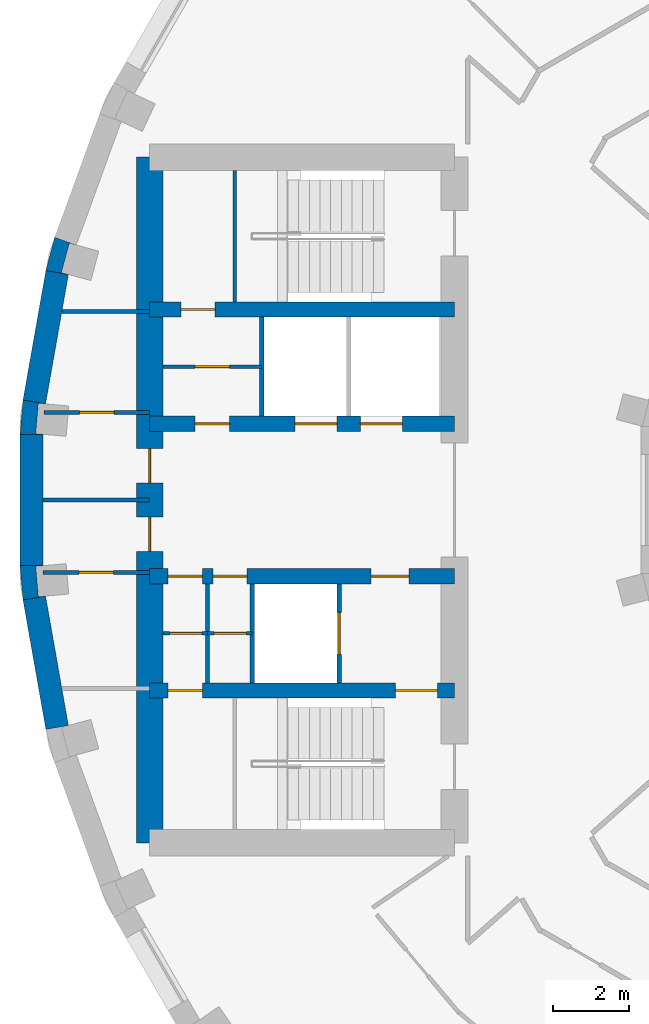
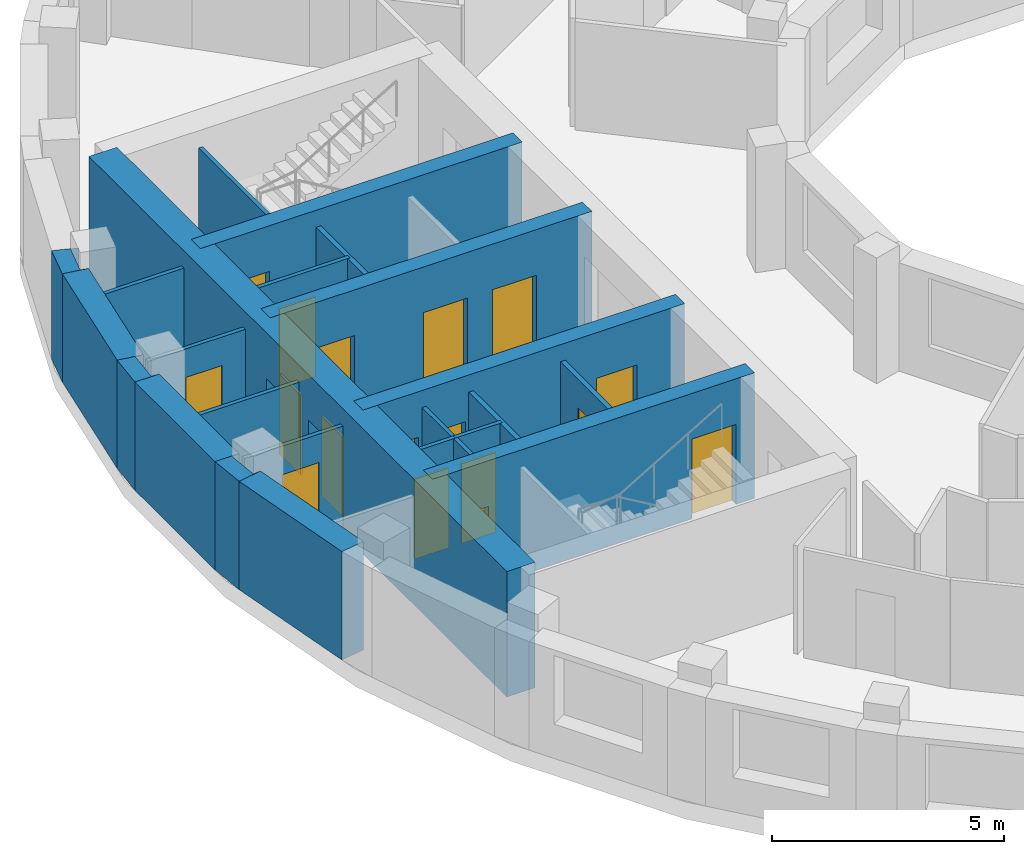
# One storey, part 7 of 15: 23 walls, 17 doors, 17 openings.
"""IFC4 building model written with IfcOpenShell, lengths in metres."""

from ifc_helpers import new_model, si_unit, direction, frame, frame_2d, origin, place, context, subcontext, project, spatial, polyline, rectangle, outline, extrude, material, layer, layer_set, type_object, element, fill, save


model = new_model("IFC4")

# Units and contexts
model_context = context("Model", 3, precision=1e-05, world=origin(), true_north=direction((0.0, 1.0)))
body_context = subcontext(model_context, "Body", "Model", "MODEL_VIEW")
ifc_project = project(units=[si_unit("LENGTHUNIT", "METRE"), si_unit("AREAUNIT", "SQUARE_METRE"), si_unit("VOLUMEUNIT", "CUBIC_METRE"), si_unit("PLANEANGLEUNIT", "RADIAN"), si_unit("MASSUNIT", "GRAM", prefix="KILO")], contexts=[model_context])

# Site, building, storey
site_placement = place(None, origin())
site = spatial("IfcSite", under=ifc_project, at=site_placement, CompositionType="ELEMENT")
building_placement = place(site_placement, origin())
building = spatial("IfcBuilding", under=site, at=building_placement, Name="Saqina Gate Tower", CompositionType="ELEMENT")
storey_placement = place(building_placement, frame((0.0, 0.0, 167.39990234375)))
storey = spatial("IfcBuildingStorey", under=building, at=storey_placement, Name="L47", CompositionType="ELEMENT", Elevation=167.39990234375)

# Walls
ifc_material_1 = material(Name="Brick masonry (buff)", Category="masonry")
wall_type_1 = type_object("IfcWallType", Name="BRICK PIER COPING BUFF", PredefinedType="SOLIDWALL", material=ifc_material_1)
wall_1_placement = place(storey_placement, origin())
element("IfcWall", 1, at=wall_1_placement, inside=storey, type_object=wall_type_1, Name="Pier cap L47 column 17", PredefinedType="SOLIDWALL", context=body_context, shape_type="SweptSolid", body=[
    extrude(outline(polyline([(-24.22705078125, 6.0234375), (-23.635986328125, 5.919189453125), (-23.81689453125, 5.967529296875), (-23.610107421875, 6.740478515625), (-23.428955078125, 6.69189453125), (-23.992919921875, 6.897216796875), (-24.22705078125, 6.0234375)])), origin(), (0.0, 0.0, 1.0), 2.85009765625),
])
wall_2_placement = place(storey_placement, origin())
element("IfcWall", 2, at=wall_2_placement, inside=storey, type_object=wall_type_1, Name="Pier cap L47 column 18", PredefinedType="SOLIDWALL", context=body_context, shape_type="SweptSolid", body=[
    extrude(outline(polyline([(-24.825927734375, 2.6259765625), (-24.90478515625, 1.724853515625), (-24.304931640625, 1.724853515625), (-24.491455078125, 1.7412109375), (-24.421630859375, 2.5380859375), (-24.235107421875, 2.521728515625), (-24.825927734375, 2.6259765625)])), origin(), (0.0, 0.0, 1.0), 2.85009765625),
])
wall_3_placement = place(storey_placement, origin())
element("IfcWall", 3, at=wall_3_placement, inside=storey, type_object=wall_type_1, Name="Pier cap L47 column 19", PredefinedType="SOLIDWALL", context=body_context, shape_type="SweptSolid", body=[
    extrude(outline(polyline([(-24.90478515625, -1.724853515625), (-24.825927734375, -2.6259765625), (-24.235107421875, -2.521728515625), (-24.421630859375, -2.5380859375), (-24.491455078125, -1.7412109375), (-24.304931640625, -1.724853515625), (-24.90478515625, -1.724853515625)])), origin(), (0.0, 0.0, 1.0), 2.85009765625),
])
ifc_material_2 = material(Name="Gypsum board on steel studs", Category="steel")
ifc_layer_1 = layer(ifc_material_2, 0.10009765625)
ifc_layer_set_1 = layer_set([ifc_layer_1], Name="CORE PARTITION")
wall_type_2 = type_object("IfcWallType", Name="CORE PARTITION", PredefinedType="PARTITIONING", material=ifc_layer_set_1)
wall_4_placement = place(storey_placement, frame((-21.5, 4.949951171875, 0.0), z_axis=(0.0, 0.0, 1.0), x_axis=(-1.0, 0.0, 0.0)))
element("IfcWall", 4, at=wall_4_placement, inside=storey, type_object=wall_type_2, Name="L47-CP-W01", PredefinedType="PARTITIONING", context=body_context, shape_type="SweptSolid", body=[
    extrude(rectangle(XDim=2.306884765625, YDim=0.10009765625, at=frame_2d((1.1533203125, 0.0))), origin(), (0.0, 0.0, 1.0), 2.85009765625),
])

# Wall, opening, door
wall_5_placement = place(storey_placement, frame((-21.5, 2.300048828125, 0.0), z_axis=(0.0, 0.0, 1.0), x_axis=(-1.0, 0.0, 0.0)))
wall_5 = element("IfcWall", 5, at=wall_5_placement, inside=storey, type_object=wall_type_2, Name="L47-CP-W02", PredefinedType="PARTITIONING", context=body_context, shape_type="SweptSolid", body=[
    extrude(rectangle(XDim=2.774169921875, YDim=0.10009765625, at=frame_2d((1.38720703125, 0.0))), origin(), (0.0, 0.0, 1.0), 2.85009765625),
])
opening_1_placement = place(wall_5_placement, frame((0.93701171875, 0.0, 0.0)))
opening_1 = element("IfcOpeningElement", 6, at=opening_1_placement, cuts=wall_5, Name="Opening G13-D112", PredefinedType="OPENING", context=body_context, shape_type="SweptSolid", body=[
    extrude(rectangle(XDim=0.89990234375, YDim=2.10009765625, at=frame_2d((0.449951171875, 1.050048828125))), frame((0.0, 0.06201171875, 0.0), z_axis=(0.0, -1.0, 0.0), x_axis=(1.0, 0.0, 0.0)), (0.0, 0.0, 1.0), 0.1240234375),
])
ifc_material_3 = material(Name="Steel-framed fire door leaf, EI 60", Category="steel")
door_type_1 = type_object("IfcDoorType", Name="SERVICE ROOM DOOR 900", OperationType="SINGLE_SWING_LEFT", PredefinedType="DOOR", material=ifc_material_3)
door_1_placement = place(opening_1_placement, frame((0.89990234375, 0.0, 0.0), z_axis=(0.0, 0.0, 1.0), x_axis=(-1.0, 0.0, 0.0)))
door_1 = element("IfcDoor", 7, at=door_1_placement, inside=storey, type_object=door_type_1, Name="L47-CD-W22", OperationType="SINGLE_SWING_RIGHT", OverallHeight=2.10009765625, OverallWidth=0.89990234375, PredefinedType="DOOR", context=body_context, shape_type="SweptSolid", body=[
    extrude(rectangle(XDim=0.89990234375, YDim=2.10009765625, at=frame_2d((0.449951171875, 1.050048828125))), frame((0.0, 0.02490234375, 0.0), z_axis=(0.0, -1.0, 0.0), x_axis=(1.0, 0.0, 0.0)), (0.0, 0.0, 1.0), 0.050048828125),
])
fill(opening_1, door_1)

wall_6_placement = place(storey_placement, frame((-21.5, -1.89990234375, 0.0), z_axis=(0.0, 0.0, 1.0), x_axis=(-1.0, 0.0, 0.0)))
wall_6 = element("IfcWall", 8, at=wall_6_placement, inside=storey, type_object=wall_type_2, Name="L47-CP-W04", PredefinedType="PARTITIONING", context=body_context, shape_type="SweptSolid", body=[
    extrude(rectangle(XDim=2.804931640625, YDim=0.10009765625, at=frame_2d((1.40234375, 0.0))), origin(), (0.0, 0.0, 1.0), 2.85009765625),
])
opening_2_placement = place(wall_6_placement, frame((0.952392578125, 0.0, 0.0)))
opening_2 = element("IfcOpeningElement", 9, at=opening_2_placement, cuts=wall_6, Name="Opening G13-D114", PredefinedType="OPENING", context=body_context, shape_type="SweptSolid", body=[
    extrude(rectangle(XDim=0.89990234375, YDim=2.10009765625, at=frame_2d((0.449951171875, 1.050048828125))), frame((0.0, 0.06201171875, 0.0), z_axis=(0.0, -1.0, 0.0), x_axis=(1.0, 0.0, 0.0)), (0.0, 0.0, 1.0), 0.1240234375),
])
door_2_placement = place(opening_2_placement, origin())
door_2 = element("IfcDoor", 10, at=door_2_placement, inside=storey, type_object=door_type_1, Name="L47-CD-W24", OperationType="SINGLE_SWING_LEFT", OverallHeight=2.10009765625, OverallWidth=0.89990234375, PredefinedType="DOOR", context=body_context, shape_type="SweptSolid", body=[
    extrude(rectangle(XDim=0.89990234375, YDim=2.10009765625, at=frame_2d((0.449951171875, 1.050048828125))), frame((0.0, 0.02490234375, 0.0), z_axis=(0.0, -1.0, 0.0), x_axis=(1.0, 0.0, 0.0)), (0.0, 0.0, 1.0), 0.050048828125),
])
fill(opening_2, door_2)

# Walls
wall_7_placement = place(storey_placement, frame((-21.5, 0.0, 0.0), z_axis=(0.0, 0.0, 1.0), x_axis=(-1.0, 0.0, 0.0)))
element("IfcWall", 11, at=wall_7_placement, inside=storey, type_object=wall_type_2, Name="L47-CP-W05", PredefinedType="PARTITIONING", context=body_context, shape_type="SweptSolid", body=[
    extrude(rectangle(XDim=2.804931640625, YDim=0.10009765625, at=frame_2d((1.40234375, 0.0))), origin(), (0.0, 0.0, 1.0), 2.85009765625),
])
wall_8_placement = place(storey_placement, frame((-19.97998046875, -4.800048828125, 0.0), z_axis=(0.0, 0.0, 1.0), x_axis=(0.0, 1.0, 0.0)))
element("IfcWall", 12, at=wall_8_placement, inside=storey, type_object=wall_type_2, Name="L47-CP-W10", PredefinedType="PARTITIONING", context=body_context, shape_type="SweptSolid", body=[
    extrude(rectangle(XDim=2.60009765625, YDim=0.10009765625, at=frame_2d((1.300048828125, 0.0))), origin(), (0.0, 0.0, 1.0), 2.85009765625),
])

# Wall, opening, door
wall_9_placement = place(storey_placement, frame((-18.56005859375, 3.5, 0.0), z_axis=(0.0, 0.0, 1.0), x_axis=(-1.0, 0.0, 0.0)))
wall_9 = element("IfcWall", 13, at=wall_9_placement, inside=storey, type_object=wall_type_2, Name="L47-CP-W11", PredefinedType="PARTITIONING", context=body_context, shape_type="SweptSolid", body=[
    extrude(rectangle(XDim=2.58984375, YDim=0.10009765625, at=frame_2d((1.294921875, 0.0))), origin(), (0.0, 0.0, 1.0), 2.85009765625),
])
opening_3_placement = place(wall_9_placement, frame((0.844970703125, 0.0, 0.0)))
opening_3 = element("IfcOpeningElement", 14, at=opening_3_placement, cuts=wall_9, Name="Opening G13-D129", PredefinedType="OPENING", context=body_context, shape_type="SweptSolid", body=[
    extrude(rectangle(XDim=0.89990234375, YDim=2.10009765625, at=frame_2d((0.449951171875, 1.050048828125))), frame((0.0, 0.06201171875, 0.0), z_axis=(0.0, -1.0, 0.0), x_axis=(1.0, 0.0, 0.0)), (0.0, 0.0, 1.0), 0.1240234375),
])
door_3_placement = place(opening_3_placement, frame((0.89990234375, 0.0, 0.0), z_axis=(0.0, 0.0, 1.0), x_axis=(-1.0, 0.0, 0.0)))
door_3 = element("IfcDoor", 15, at=door_3_placement, inside=storey, type_object=door_type_1, Name="L47-CD-W26", OperationType="SINGLE_SWING_LEFT", OverallHeight=2.10009765625, OverallWidth=0.89990234375, PredefinedType="DOOR", context=body_context, shape_type="SweptSolid", body=[
    extrude(rectangle(XDim=0.89990234375, YDim=2.10009765625, at=frame_2d((0.449951171875, 1.050048828125))), frame((0.0, 0.02490234375, 0.0), z_axis=(0.0, -1.0, 0.0), x_axis=(1.0, 0.0, 0.0)), (0.0, 0.0, 1.0), 0.050048828125),
])
fill(opening_3, door_3)

wall_10_placement = place(storey_placement, frame((-18.81005859375, -3.5, 0.0), z_axis=(0.0, 0.0, 1.0), x_axis=(-1.0, 0.0, 0.0)))
wall_10 = element("IfcWall", 16, at=wall_10_placement, inside=storey, type_object=wall_type_2, Name="L47-CP-W12", PredefinedType="PARTITIONING", context=body_context, shape_type="SweptSolid", body=[
    extrude(rectangle(XDim=1.169921875, YDim=0.10009765625, at=frame_2d((0.5849609375, 0.0))), origin(), (0.0, 0.0, 1.0), 2.85009765625),
])
opening_4_placement = place(wall_10_placement, frame((0.14990234375, 0.0, 0.0)))
opening_4 = element("IfcOpeningElement", 17, at=opening_4_placement, cuts=wall_10, Name="Opening G13-D118", PredefinedType="OPENING", context=body_context, shape_type="SweptSolid", body=[
    extrude(rectangle(XDim=0.85009765625, YDim=2.10009765625, at=frame_2d((0.425048828125, 1.050048828125))), frame((0.0, 0.06201171875, 0.0), z_axis=(0.0, -1.0, 0.0), x_axis=(1.0, 0.0, 0.0)), (0.0, 0.0, 1.0), 0.1240234375),
])
ifc_material_4 = material(Name="Steel-framed fire door leaf, EI 60", Category="steel")
door_type_2 = type_object("IfcDoorType", Name="SERVICE ROOM DOOR 850", OperationType="SINGLE_SWING_LEFT", PredefinedType="DOOR", material=ifc_material_4)
door_4_placement = place(opening_4_placement, origin())
door_4 = element("IfcDoor", 18, at=door_4_placement, inside=storey, type_object=door_type_2, Name="L47-CD-W28", OperationType="SINGLE_SWING_LEFT", OverallHeight=2.10009765625, OverallWidth=0.85009765625, PredefinedType="DOOR", context=body_context, shape_type="SweptSolid", body=[
    extrude(rectangle(XDim=0.85009765625, YDim=2.10009765625, at=frame_2d((0.425048828125, 1.050048828125))), frame((0.0, 0.02490234375, 0.0), z_axis=(0.0, -1.0, 0.0), x_axis=(1.0, 0.0, 0.0)), (0.0, 0.0, 1.0), 0.050048828125),
])
fill(opening_4, door_4)

wall_11_placement = place(storey_placement, frame((-19.97998046875, -3.5, 0.0), z_axis=(0.0, 0.0, 1.0), x_axis=(-1.0, 0.0, 0.0)))
wall_11 = element("IfcWall", 19, at=wall_11_placement, inside=storey, type_object=wall_type_2, Name="L47-CP-W13", PredefinedType="PARTITIONING", context=body_context, shape_type="SweptSolid", body=[
    extrude(rectangle(XDim=1.169921875, YDim=0.10009765625, at=frame_2d((0.5849609375, 0.0))), origin(), (0.0, 0.0, 1.0), 2.85009765625),
])
opening_5_placement = place(wall_11_placement, frame((0.14990234375, 0.0, 0.0)))
opening_5 = element("IfcOpeningElement", 20, at=opening_5_placement, cuts=wall_11, Name="Opening G13-D119", PredefinedType="OPENING", context=body_context, shape_type="SweptSolid", body=[
    extrude(rectangle(XDim=0.85009765625, YDim=2.10009765625, at=frame_2d((0.425048828125, 1.050048828125))), frame((0.0, 0.06201171875, 0.0), z_axis=(0.0, -1.0, 0.0), x_axis=(1.0, 0.0, 0.0)), (0.0, 0.0, 1.0), 0.1240234375),
])
door_5_placement = place(opening_5_placement, origin())
door_5 = element("IfcDoor", 21, at=door_5_placement, inside=storey, type_object=door_type_2, Name="L47-CD-W29", OperationType="SINGLE_SWING_RIGHT", OverallHeight=2.10009765625, OverallWidth=0.85009765625, PredefinedType="DOOR", context=body_context, shape_type="SweptSolid", body=[
    extrude(rectangle(XDim=0.85009765625, YDim=2.10009765625, at=frame_2d((0.425048828125, 1.050048828125))), frame((0.0, 0.02490234375, 0.0), z_axis=(0.0, -1.0, 0.0), x_axis=(1.0, 0.0, 0.0)), (0.0, 0.0, 1.0), 0.050048828125),
])
fill(opening_5, door_5)

# Walls
ifc_material_5 = material(Name="Glazed ceramic tile", Category="ceramic")
ifc_layer_2 = layer(ifc_material_5, 0.60009765625)
ifc_layer_set_2 = layer_set([ifc_layer_2], Name="FW-TILE")
wall_type_3 = type_object("IfcWallType", Name="FW-TILE", PredefinedType="SOLIDWALL", material=ifc_layer_set_2)
wall_12_placement = place(storey_placement, frame((-24.60498046875, 1.724853515625, 0.0), z_axis=(0.0, 0.0, 1.0), x_axis=(0.0, -1.0, 0.0)))
element("IfcWall", 22, at=wall_12_placement, inside=storey, type_object=wall_type_3, Name="Facade wall L47 facet 18", PredefinedType="SOLIDWALL", context=body_context, shape_type="SweptSolid", body=[
    extrude(rectangle(XDim=3.44970703125, YDim=0.60009765625, at=frame_2d((1.724853515625, 0.0))), origin(), (0.0, 0.0, 1.0), 2.85009765625),
])
ifc_material_6 = material(Name="Glazed ceramic tile (dark blue)", Category="ceramic")
ifc_layer_3 = layer(ifc_material_6, 0.60009765625)
ifc_layer_set_3 = layer_set([ifc_layer_3], Name="FW-TILE-CB")
wall_type_4 = type_object("IfcWallType", Name="FW-TILE-CB", PredefinedType="SOLIDWALL", material=ifc_layer_set_3)
wall_13_placement = place(storey_placement, frame((-24.530517578125, -2.573974609375, 0.0), z_axis=(0.0, 0.0, 1.0), x_axis=(0.173607684551, -0.984814892183, 0.0)))
element("IfcWall", 23, at=wall_13_placement, inside=storey, type_object=wall_type_4, Name="Facade wall L47 facet 19", PredefinedType="SOLIDWALL", context=body_context, shape_type="SweptSolid", body=[
    extrude(rectangle(XDim=3.44970703125, YDim=0.60009765625, at=frame_2d((1.724853515625, 0.0))), origin(), (0.0, 0.0, 1.0), 2.85009765625),
])
ifc_material_7 = material(Name="Glazed ceramic tile (white)", Category="ceramic")
ifc_layer_4 = layer(ifc_material_7, 0.60009765625)
ifc_layer_set_4 = layer_set([ifc_layer_4], Name="FW-TILE-WH")
wall_type_5 = type_object("IfcWallType", Name="FW-TILE-WH", PredefinedType="SOLIDWALL", material=ifc_layer_set_4)
wall_14_placement = place(storey_placement, frame((-23.931640625, 5.97119140625, 0.0), z_axis=(0.0, 0.0, 1.0), x_axis=(-0.173607684551, -0.984814892183, 0.0)))
element("IfcWall", 24, at=wall_14_placement, inside=storey, type_object=wall_type_5, Name="Facade wall L47 facet 17", PredefinedType="SOLIDWALL", context=body_context, shape_type="SweptSolid", body=[
    extrude(rectangle(XDim=3.44970703125, YDim=0.60009765625, at=frame_2d((1.724853515625, 0.0))), origin(), (0.0, 0.0, 1.0), 2.85009765625),
])
ifc_material_8 = material(Name="Autoclaved aerated concrete block", Category="concrete")
ifc_layer_5 = layer(ifc_material_8, 0.1201171875)
ifc_layer_set_5 = layer_set([ifc_layer_5], Name="SHAFT PARTITION")
wall_type_6 = type_object("IfcWallType", Name="SHAFT PARTITION", PredefinedType="PARTITIONING", material=ifc_layer_set_5)
wall_15_placement = place(storey_placement, frame((-18.56005859375, 2.199951171875, 0.0), z_axis=(0.0, 0.0, 1.0), x_axis=(0.0, 1.0, 0.0)))
element("IfcWall", 25, at=wall_15_placement, inside=storey, type_object=wall_type_6, Name="L47-CP-W07", PredefinedType="PARTITIONING", context=body_context, shape_type="SweptSolid", body=[
    extrude(rectangle(XDim=2.60009765625, YDim=0.1201171875, at=frame_2d((1.300048828125, 0.0))), origin(), (0.0, 0.0, 1.0), 2.85009765625),
])

# Wall, opening, door
wall_16_placement = place(storey_placement, frame((-16.530029296875, -4.800048828125, 0.0), z_axis=(0.0, 0.0, 1.0), x_axis=(0.0, 1.0, 0.0)))
wall_16 = element("IfcWall", 26, at=wall_16_placement, inside=storey, type_object=wall_type_6, Name="L47-CP-W08", PredefinedType="PARTITIONING", context=body_context, shape_type="SweptSolid", body=[
    extrude(rectangle(XDim=2.60009765625, YDim=0.1201171875, at=frame_2d((1.300048828125, 0.0))), origin(), (0.0, 0.0, 1.0), 2.85009765625),
])
opening_6_placement = place(wall_16_placement, frame((0.75, 0.0, 0.0)))
opening_6 = element("IfcOpeningElement", 27, at=opening_6_placement, cuts=wall_16, Name="Opening G13-LD6", PredefinedType="OPENING", context=body_context, shape_type="SweptSolid", body=[
    extrude(rectangle(XDim=1.10009765625, YDim=2.10009765625, at=frame_2d((0.550048828125, 1.050048828125))), frame((0.0, 0.072021484375, 0.0), z_axis=(0.0, -1.0, 0.0), x_axis=(1.0, 0.0, 0.0)), (0.0, 0.0, 1.0), 0.14404296875),
])
ifc_material_9 = material(Name="Stainless steel", Category="steel")
door_type_3 = type_object("IfcDoorType", Name="LANDING DOOR", OperationType="DOUBLE_DOOR_SLIDING", PredefinedType="DOOR", material=ifc_material_9)
door_6_placement = place(opening_6_placement, origin())
door_6 = element("IfcDoor", 28, at=door_6_placement, inside=storey, type_object=door_type_3, Name="LANDING DOOR FF2", OperationType="DOUBLE_DOOR_SLIDING", OverallHeight=2.10009765625, OverallWidth=1.10009765625, PredefinedType="DOOR", context=body_context, shape_type="SweptSolid", body=[
    extrude(rectangle(XDim=1.10009765625, YDim=2.10009765625, at=frame_2d((0.550048828125, 1.050048828125))), frame((0.0, 0.02490234375, 0.0), z_axis=(0.0, -1.0, 0.0), x_axis=(1.0, 0.0, 0.0)), (0.0, 0.0, 1.0), 0.050048828125),
])
fill(opening_6, door_6)

# Walls
wall_17_placement = place(storey_placement, frame((-18.81005859375, -4.800048828125, 0.0), z_axis=(0.0, 0.0, 1.0), x_axis=(0.0, 1.0, 0.0)))
element("IfcWall", 29, at=wall_17_placement, inside=storey, type_object=wall_type_6, Name="L47-CP-W09", PredefinedType="PARTITIONING", context=body_context, shape_type="SweptSolid", body=[
    extrude(rectangle(XDim=2.60009765625, YDim=0.1201171875, at=frame_2d((1.300048828125, 0.0))), origin(), (0.0, 0.0, 1.0), 2.85009765625),
])
ifc_material_10 = material(Name="Autoclaved aerated concrete block", Category="concrete")
ifc_layer_6 = layer(ifc_material_10, 0.10009765625)
ifc_layer_set_6 = layer_set([ifc_layer_6], Name="STAIR ENCLOSURE WALL")
wall_type_7 = type_object("IfcWallType", Name="STAIR ENCLOSURE WALL", PredefinedType="PARTITIONING", material=ifc_layer_set_6)
wall_18_placement = place(storey_placement, frame((-19.27001953125, 5.199951171875, 0.0), z_axis=(0.0, 0.0, 1.0), x_axis=(0.0, 1.0, 0.0)))
element("IfcWall", 30, at=wall_18_placement, inside=storey, type_object=wall_type_7, Name="L47-CP-W14", PredefinedType="PARTITIONING", context=body_context, shape_type="SweptSolid", body=[
    extrude(rectangle(XDim=3.449951171875, YDim=0.10009765625, at=frame_2d((1.72509765625, 0.0))), origin(), (0.0, 0.0, 1.0), 2.85009765625),
])

# Wall, opening, door
ifc_material_11 = material(Name="Concrete C60/75", Category="concrete")
ifc_layer_7 = layer(ifc_material_11, 0.39990234375)
ifc_layer_set_7 = layer_set([ifc_layer_7], Name="Concrete C60/75")
wall_type_8 = type_object("IfcWallType", Name="STR-CORE WALL-C-I", PredefinedType="SHEAR", material=ifc_layer_set_7)
wall_19_placement = place(storey_placement, frame((-13.5, 5.0, 0.0), z_axis=(0.0, 0.0, 1.0), x_axis=(-1.0, 0.0, 0.0)))
wall_19 = element("IfcWall", 31, at=wall_19_placement, inside=storey, type_object=wall_type_8, Name="CORE WALL L47 W-X1", PredefinedType="SHEAR", context=body_context, shape_type="SweptSolid", body=[
    extrude(rectangle(XDim=8.0, YDim=0.39990234375, at=frame_2d((4.0, 0.0))), origin(), (0.0, 0.0, 1.0), 3.300048828125),
])
opening_7_placement = place(wall_19_placement, frame((6.284912109375, 0.0, 0.0)))
opening_7 = element("IfcOpeningElement", 32, at=opening_7_placement, cuts=wall_19, Name="Opening G13-D130", PredefinedType="OPENING", context=body_context, shape_type="SweptSolid", body=[
    extrude(rectangle(XDim=0.89990234375, YDim=2.10009765625, at=frame_2d((0.449951171875, 1.050048828125))), frame((0.0, 0.2119140625, 0.0), z_axis=(0.0, -1.0, 0.0), x_axis=(1.0, 0.0, 0.0)), (0.0, 0.0, 1.0), 0.423828125),
])
door_7_placement = place(opening_7_placement, frame((0.89990234375, 0.0, 0.0), z_axis=(0.0, 0.0, 1.0), x_axis=(-1.0, 0.0, 0.0)))
door_7 = element("IfcDoor", 33, at=door_7_placement, inside=storey, type_object=door_type_1, Name="L47-CD-W27", OperationType="SINGLE_SWING_LEFT", OverallHeight=2.10009765625, OverallWidth=0.89990234375, PredefinedType="DOOR", context=body_context, shape_type="SweptSolid", body=[
    extrude(rectangle(XDim=0.89990234375, YDim=2.10009765625, at=frame_2d((0.449951171875, 1.050048828125))), frame((0.0, 0.02490234375, 0.0), z_axis=(0.0, -1.0, 0.0), x_axis=(1.0, 0.0, 0.0)), (0.0, 0.0, 1.0), 0.050048828125),
])
fill(opening_7, door_7)

# Wall, openings, doors
wall_20_placement = place(storey_placement, frame((-13.5, -5.0, 0.0), z_axis=(0.0, 0.0, 1.0), x_axis=(-1.0, 0.0, 0.0)))
wall_20 = element("IfcWall", 34, at=wall_20_placement, inside=storey, type_object=wall_type_8, Name="CORE WALL L47 W-X2", PredefinedType="SHEAR", context=body_context, shape_type="SweptSolid", body=[
    extrude(rectangle(XDim=8.0, YDim=0.39990234375, at=frame_2d((4.0, 0.0))), origin(), (0.0, 0.0, 1.0), 3.300048828125),
])
opening_8_placement = place(wall_20_placement, frame((6.614990234375, 0.0, 0.0)))
opening_8 = element("IfcOpeningElement", 35, at=opening_8_placement, cuts=wall_20, Name="Opening G13-D131", PredefinedType="OPENING", context=body_context, shape_type="SweptSolid", body=[
    extrude(rectangle(XDim=0.89990234375, YDim=2.10009765625, at=frame_2d((0.449951171875, 1.050048828125))), frame((0.0, 0.2119140625, 0.0), z_axis=(0.0, -1.0, 0.0), x_axis=(1.0, 0.0, 0.0)), (0.0, 0.0, 1.0), 0.423828125),
])
opening_9_placement = place(wall_20_placement, frame((0.449951171875, 0.0, 0.0)))
opening_9 = element("IfcOpeningElement", 36, at=opening_9_placement, cuts=wall_20, Name="Opening G13-D120", PredefinedType="OPENING", context=body_context, shape_type="SweptSolid", body=[
    extrude(rectangle(XDim=1.10009765625, YDim=2.10009765625, at=frame_2d((0.550048828125, 1.050048828125))), frame((0.0, 0.2119140625, 0.0), z_axis=(0.0, -1.0, 0.0), x_axis=(1.0, 0.0, 0.0)), (0.0, 0.0, 1.0), 0.423828125),
])
ifc_material_12 = material(Name="Steel", Category="steel")
door_type_4 = type_object("IfcDoorType", Name="FIRE LOBBY DOOR EI 60 WIDE", OperationType="SINGLE_SWING_LEFT", PredefinedType="DOOR", material=ifc_material_12)
door_8_placement = place(opening_9_placement, origin())
door_8 = element("IfcDoor", 37, at=door_8_placement, inside=storey, type_object=door_type_4, Name="L47-CD-W31", OperationType="SINGLE_SWING_LEFT", OverallHeight=2.10009765625, OverallWidth=1.10009765625, PredefinedType="DOOR", context=body_context, shape_type="SweptSolid", body=[
    extrude(rectangle(XDim=1.10009765625, YDim=2.10009765625, at=frame_2d((0.550048828125, 1.050048828125))), frame((0.0, 0.02490234375, 0.0), z_axis=(0.0, -1.0, 0.0), x_axis=(1.0, 0.0, 0.0)), (0.0, 0.0, 1.0), 0.050048828125),
])
fill(opening_9, door_8)
door_9_placement = place(opening_8_placement, origin())
door_9 = element("IfcDoor", 38, at=door_9_placement, inside=storey, type_object=door_type_1, Name="L47-CD-W30", OperationType="SINGLE_SWING_RIGHT", OverallHeight=2.10009765625, OverallWidth=0.89990234375, PredefinedType="DOOR", context=body_context, shape_type="SweptSolid", body=[
    extrude(rectangle(XDim=0.89990234375, YDim=2.10009765625, at=frame_2d((0.449951171875, 1.050048828125))), frame((0.0, 0.02490234375, 0.0), z_axis=(0.0, -1.0, 0.0), x_axis=(1.0, 0.0, 0.0)), (0.0, 0.0, 1.0), 0.050048828125),
])
fill(opening_8, door_9)

wall_21_placement = place(storey_placement, frame((-13.5, 2.0, 0.0), z_axis=(0.0, 0.0, 1.0), x_axis=(-1.0, 0.0, 0.0)))
wall_21 = element("IfcWall", 39, at=wall_21_placement, inside=storey, type_object=wall_type_8, Name="CORE WALL L47 W-L1", PredefinedType="SHEAR", context=body_context, shape_type="SweptSolid", body=[
    extrude(rectangle(XDim=8.0, YDim=0.39990234375, at=frame_2d((4.0, 0.0))), origin(), (0.0, 0.0, 1.0), 3.300048828125),
])
opening_10_placement = place(wall_21_placement, frame((1.3701171875, 0.0, 0.0)))
opening_10 = element("IfcOpeningElement", 40, at=opening_10_placement, cuts=wall_21, Name="Opening G13-LD4", PredefinedType="OPENING", context=body_context, shape_type="SweptSolid", body=[
    extrude(rectangle(XDim=1.10009765625, YDim=2.10009765625, at=frame_2d((0.550048828125, 1.050048828125))), frame((0.0, 0.2119140625, 0.0), z_axis=(0.0, -1.0, 0.0), x_axis=(1.0, 0.0, 0.0)), (0.0, 0.0, 1.0), 0.423828125),
])
opening_11_placement = place(wall_21_placement, frame((3.090087890625, 0.0, 0.0)))
opening_11 = element("IfcOpeningElement", 41, at=opening_11_placement, cuts=wall_21, Name="Opening G13-LD5", PredefinedType="OPENING", context=body_context, shape_type="SweptSolid", body=[
    extrude(rectangle(XDim=1.10009765625, YDim=2.10009765625, at=frame_2d((0.550048828125, 1.050048828125))), frame((0.0, 0.2119140625, 0.0), z_axis=(0.0, -1.0, 0.0), x_axis=(1.0, 0.0, 0.0)), (0.0, 0.0, 1.0), 0.423828125),
])
opening_12_placement = place(wall_21_placement, frame((5.905029296875, 0.0, 0.0)))
opening_12 = element("IfcOpeningElement", 42, at=opening_12_placement, cuts=wall_21, Name="Opening G13-D128", PredefinedType="OPENING", context=body_context, shape_type="SweptSolid", body=[
    extrude(rectangle(XDim=0.89990234375, YDim=2.10009765625, at=frame_2d((0.449951171875, 1.050048828125))), frame((0.0, 0.2119140625, 0.0), z_axis=(0.0, -1.0, 0.0), x_axis=(1.0, 0.0, 0.0)), (0.0, 0.0, 1.0), 0.423828125),
])
door_10_placement = place(opening_10_placement, origin())
door_10 = element("IfcDoor", 43, at=door_10_placement, inside=storey, type_object=door_type_3, Name="LANDING DOOR HR3", OperationType="DOUBLE_DOOR_SLIDING", OverallHeight=2.10009765625, OverallWidth=1.10009765625, PredefinedType="DOOR", context=body_context, shape_type="SweptSolid", body=[
    extrude(rectangle(XDim=1.10009765625, YDim=2.10009765625, at=frame_2d((0.550048828125, 1.050048828125))), frame((0.0, 0.02490234375, 0.0), z_axis=(0.0, -1.0, 0.0), x_axis=(1.0, 0.0, 0.0)), (0.0, 0.0, 1.0), 0.050048828125),
])
fill(opening_10, door_10)
door_11_placement = place(opening_11_placement, origin())
door_11 = element("IfcDoor", 44, at=door_11_placement, inside=storey, type_object=door_type_3, Name="LANDING DOOR HR4", OperationType="DOUBLE_DOOR_SLIDING", OverallHeight=2.10009765625, OverallWidth=1.10009765625, PredefinedType="DOOR", context=body_context, shape_type="SweptSolid", body=[
    extrude(rectangle(XDim=1.10009765625, YDim=2.10009765625, at=frame_2d((0.550048828125, 1.050048828125))), frame((0.0, 0.02490234375, 0.0), z_axis=(0.0, -1.0, 0.0), x_axis=(1.0, 0.0, 0.0)), (0.0, 0.0, 1.0), 0.050048828125),
])
fill(opening_11, door_11)
door_12_placement = place(opening_12_placement, frame((0.89990234375, 0.0, 0.0), z_axis=(0.0, 0.0, 1.0), x_axis=(-1.0, 0.0, 0.0)))
door_12 = element("IfcDoor", 45, at=door_12_placement, inside=storey, type_object=door_type_1, Name="L47-CD-W18", OperationType="SINGLE_SWING_LEFT", OverallHeight=2.10009765625, OverallWidth=0.89990234375, PredefinedType="DOOR", context=body_context, shape_type="SweptSolid", body=[
    extrude(rectangle(XDim=0.89990234375, YDim=2.10009765625, at=frame_2d((0.449951171875, 1.050048828125))), frame((0.0, 0.02490234375, 0.0), z_axis=(0.0, -1.0, 0.0), x_axis=(1.0, 0.0, 0.0)), (0.0, 0.0, 1.0), 0.050048828125),
])
fill(opening_12, door_12)

wall_22_placement = place(storey_placement, frame((-13.5, -2.0, 0.0), z_axis=(0.0, 0.0, 1.0), x_axis=(-1.0, 0.0, 0.0)))
wall_22 = element("IfcWall", 46, at=wall_22_placement, inside=storey, type_object=wall_type_8, Name="CORE WALL L47 W-L2", PredefinedType="SHEAR", context=body_context, shape_type="SweptSolid", body=[
    extrude(rectangle(XDim=8.0, YDim=0.39990234375, at=frame_2d((4.0, 0.0))), origin(), (0.0, 0.0, 1.0), 3.300048828125),
])
opening_13_placement = place(wall_22_placement, frame((1.18994140625, 0.0, 0.0)))
opening_13 = element("IfcOpeningElement", 47, at=opening_13_placement, cuts=wall_22, Name="Opening G13-D109", PredefinedType="OPENING", context=body_context, shape_type="SweptSolid", body=[
    extrude(rectangle(XDim=1.0, YDim=2.10009765625, at=frame_2d((0.5, 1.050048828125))), frame((0.0, 0.2119140625, 0.0), z_axis=(0.0, -1.0, 0.0), x_axis=(1.0, 0.0, 0.0)), (0.0, 0.0, 1.0), 0.423828125),
])
opening_14_placement = place(wall_22_placement, frame((5.445068359375, 0.0, 0.0)))
opening_14 = element("IfcOpeningElement", 48, at=opening_14_placement, cuts=wall_22, Name="Opening G13-D110", PredefinedType="OPENING", context=body_context, shape_type="SweptSolid", body=[
    extrude(rectangle(XDim=0.89990234375, YDim=2.10009765625, at=frame_2d((0.449951171875, 1.050048828125))), frame((0.0, 0.2119140625, 0.0), z_axis=(0.0, -1.0, 0.0), x_axis=(1.0, 0.0, 0.0)), (0.0, 0.0, 1.0), 0.423828125),
])
opening_15_placement = place(wall_22_placement, frame((6.614990234375, 0.0, 0.0)))
opening_15 = element("IfcOpeningElement", 49, at=opening_15_placement, cuts=wall_22, Name="Opening G13-D111", PredefinedType="OPENING", context=body_context, shape_type="SweptSolid", body=[
    extrude(rectangle(XDim=0.89990234375, YDim=2.10009765625, at=frame_2d((0.449951171875, 1.050048828125))), frame((0.0, 0.2119140625, 0.0), z_axis=(0.0, -1.0, 0.0), x_axis=(1.0, 0.0, 0.0)), (0.0, 0.0, 1.0), 0.423828125),
])
ifc_material_13 = material(Name="Steel", Category="steel")
door_type_5 = type_object("IfcDoorType", Name="FIRE LOBBY DOOR EI 60", OperationType="SINGLE_SWING_LEFT", PredefinedType="DOOR", material=ifc_material_13)
door_13_placement = place(opening_13_placement, frame((1.0, 0.0, 0.0), z_axis=(0.0, 0.0, 1.0), x_axis=(-1.0, 0.0, 0.0)))
door_13 = element("IfcDoor", 50, at=door_13_placement, inside=storey, type_object=door_type_5, Name="L47-CD-W19", OperationType="SINGLE_SWING_RIGHT", OverallHeight=2.10009765625, OverallWidth=1.0, PredefinedType="DOOR", context=body_context, shape_type="SweptSolid", body=[
    extrude(rectangle(XDim=1.0, YDim=2.10009765625, at=frame_2d((0.5, 1.050048828125))), frame((0.0, 0.02490234375, 0.0), z_axis=(0.0, -1.0, 0.0), x_axis=(1.0, 0.0, 0.0)), (0.0, 0.0, 1.0), 0.050048828125),
])
fill(opening_13, door_13)
door_14_placement = place(opening_14_placement, origin())
door_14 = element("IfcDoor", 51, at=door_14_placement, inside=storey, type_object=door_type_1, Name="L47-CD-W20", OperationType="SINGLE_SWING_LEFT", OverallHeight=2.10009765625, OverallWidth=0.89990234375, PredefinedType="DOOR", context=body_context, shape_type="SweptSolid", body=[
    extrude(rectangle(XDim=0.89990234375, YDim=2.10009765625, at=frame_2d((0.449951171875, 1.050048828125))), frame((0.0, 0.02490234375, 0.0), z_axis=(0.0, -1.0, 0.0), x_axis=(1.0, 0.0, 0.0)), (0.0, 0.0, 1.0), 0.050048828125),
])
fill(opening_14, door_14)
door_15_placement = place(opening_15_placement, origin())
door_15 = element("IfcDoor", 52, at=door_15_placement, inside=storey, type_object=door_type_1, Name="L47-CD-W21", OperationType="SINGLE_SWING_RIGHT", OverallHeight=2.10009765625, OverallWidth=0.89990234375, PredefinedType="DOOR", context=body_context, shape_type="SweptSolid", body=[
    extrude(rectangle(XDim=0.89990234375, YDim=2.10009765625, at=frame_2d((0.449951171875, 1.050048828125))), frame((0.0, 0.02490234375, 0.0), z_axis=(0.0, -1.0, 0.0), x_axis=(1.0, 0.0, 0.0)), (0.0, 0.0, 1.0), 0.050048828125),
])
fill(opening_15, door_15)

ifc_material_14 = material(Name="Concrete C60/75", Category="concrete")
ifc_layer_8 = layer(ifc_material_14, 0.699951171875)
ifc_layer_set_8 = layer_set([ifc_layer_8], Name="Concrete C60/75")
wall_type_9 = type_object("IfcWallType", Name="STR-CORE WALL-C-O", PredefinedType="SHEAR", material=ifc_layer_set_8)
wall_23_placement = place(storey_placement, frame((-21.5, -9.0, 0.0), z_axis=(0.0, 0.0, 1.0), x_axis=(0.0, 1.0, 0.0)))
wall_23 = element("IfcWall", 53, at=wall_23_placement, inside=storey, type_object=wall_type_9, Name="CORE WALL L47 W-W2", PredefinedType="SHEAR", context=body_context, shape_type="SweptSolid", body=[
    extrude(rectangle(XDim=18.0, YDim=0.699951171875, at=frame_2d((9.0, 0.0))), origin(), (0.0, 0.0, 1.0), 3.300048828125),
])
opening_16_placement = place(wall_23_placement, frame((9.449951171875, 0.0, 0.0)))
opening_16 = element("IfcOpeningElement", 54, at=opening_16_placement, cuts=wall_23, Name="Opening G13-D113", PredefinedType="OPENING", context=body_context, shape_type="SweptSolid", body=[
    extrude(rectangle(XDim=0.89990234375, YDim=2.10009765625, at=frame_2d((0.449951171875, 1.050048828125))), frame((0.0, 0.362060546875, 0.0), z_axis=(0.0, -1.0, 0.0), x_axis=(1.0, 0.0, 0.0)), (0.0, 0.0, 1.0), 0.723876953125),
])
opening_17_placement = place(wall_23_placement, frame((7.64990234375, 0.0, 0.0)))
opening_17 = element("IfcOpeningElement", 55, at=opening_17_placement, cuts=wall_23, Name="Opening G13-D115", PredefinedType="OPENING", context=body_context, shape_type="SweptSolid", body=[
    extrude(rectangle(XDim=0.89990234375, YDim=2.10009765625, at=frame_2d((0.449951171875, 1.050048828125))), frame((0.0, 0.362060546875, 0.0), z_axis=(0.0, -1.0, 0.0), x_axis=(1.0, 0.0, 0.0)), (0.0, 0.0, 1.0), 0.723876953125),
])
door_16_placement = place(opening_16_placement, origin())
door_16 = element("IfcDoor", 56, at=door_16_placement, inside=storey, type_object=door_type_1, Name="L47-CD-W23", OperationType="SINGLE_SWING_LEFT", OverallHeight=2.10009765625, OverallWidth=0.89990234375, PredefinedType="DOOR", context=body_context, shape_type="SweptSolid", body=[
    extrude(rectangle(XDim=0.89990234375, YDim=2.10009765625, at=frame_2d((0.449951171875, 1.050048828125))), frame((0.0, 0.02490234375, 0.0), z_axis=(0.0, -1.0, 0.0), x_axis=(1.0, 0.0, 0.0)), (0.0, 0.0, 1.0), 0.050048828125),
])
fill(opening_16, door_16)
door_17_placement = place(opening_17_placement, origin())
door_17 = element("IfcDoor", 57, at=door_17_placement, inside=storey, type_object=door_type_1, Name="L47-CD-W25", OperationType="SINGLE_SWING_LEFT", OverallHeight=2.10009765625, OverallWidth=0.89990234375, PredefinedType="DOOR", context=body_context, shape_type="SweptSolid", body=[
    extrude(rectangle(XDim=0.89990234375, YDim=2.10009765625, at=frame_2d((0.449951171875, 1.050048828125))), frame((0.0, 0.02490234375, 0.0), z_axis=(0.0, -1.0, 0.0), x_axis=(1.0, 0.0, 0.0)), (0.0, 0.0, 1.0), 0.050048828125),
])
fill(opening_17, door_17)

save(model, "model.ifc")
